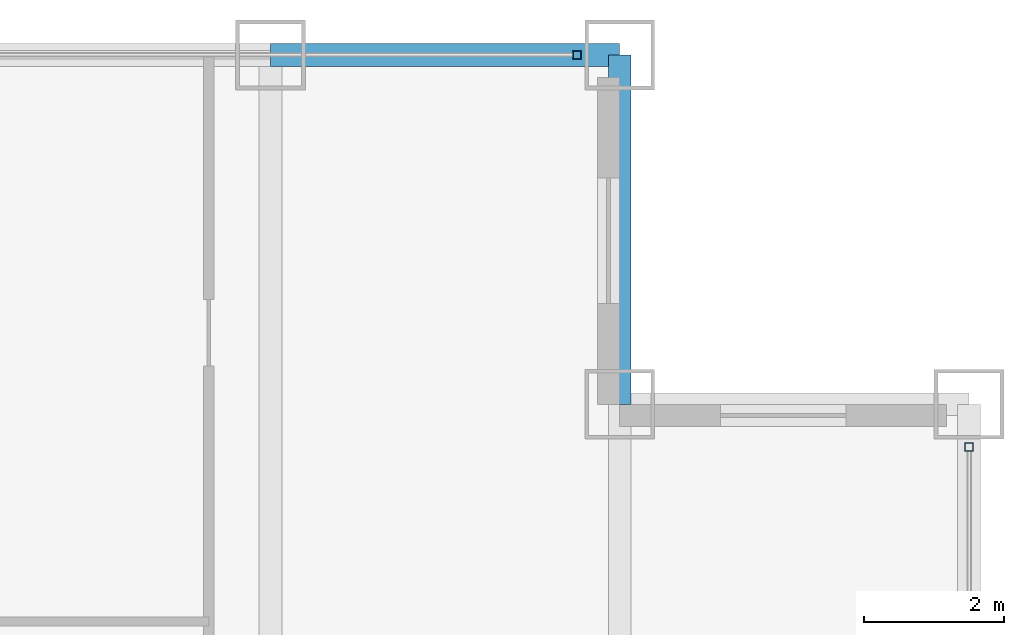
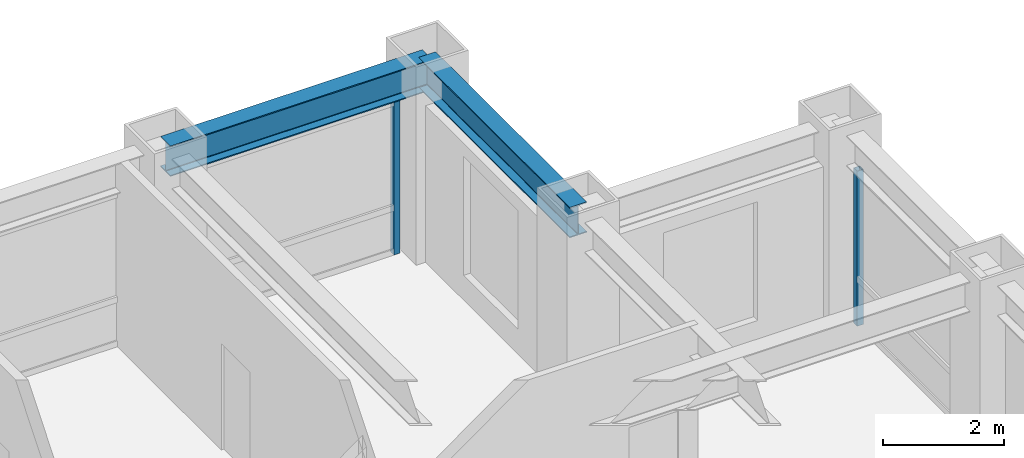
# One storey, part 18 of 25: 2 beams, 2 members, 2 elements without a shape of their own.
"""IFC4 building model written with IfcOpenShell, lengths in metres."""

from ifc_helpers import new_model, si_unit, direction, frame, origin, origin_2d, place, context, subcontext, project, spatial, hollow_rectangle, i_section, extrude, source, transform, mapped, material, material_profile, profile_set, type_object, element, aggregate, save


model = new_model("IFC4")

# Units and contexts
model_context = context("Model", 3, precision=1e-05, world=origin(), true_north=direction((0.0, 1.0)))
body_context = subcontext(model_context, "Body", "Model", "MODEL_VIEW")
ifc_project = project(units=[si_unit("LENGTHUNIT", "METRE"), si_unit("AREAUNIT", "SQUARE_METRE"), si_unit("VOLUMEUNIT", "CUBIC_METRE"), si_unit("PLANEANGLEUNIT", "RADIAN"), si_unit("MASSUNIT", "GRAM", prefix="KILO")], contexts=[model_context])

# Site, building, storey
site_placement = place(None, origin())
site = spatial("IfcSite", under=ifc_project, at=site_placement, CompositionType="ELEMENT")
building_placement = place(site_placement, origin())
building = spatial("IfcBuilding", under=site, at=building_placement, Name="Khorayat Bourse Tower", CompositionType="ELEMENT")
storey_placement = place(building_placement, frame((0.0, 0.0, 231.10009765625)))
storey = spatial("IfcBuildingStorey", under=building, at=storey_placement, Name="L54", CompositionType="ELEMENT", Elevation=231.10009765625)

# Beams
ifc_material_1 = material(Name="Steel ASTM A992 Grade 50", Category="steel")
ifc_material_profile_1 = material_profile(ifc_material_1, i_section(OverallWidth=0.324951171875, OverallDepth=0.615966796875, WebThickness=0.013916015625, FlangeThickness=0.021484375, FilletRadius=0.01611328125, at=origin_2d()), Name="W610X174")
ifc_profile_set_1 = profile_set([ifc_material_profile_1], Name="Steel ASTM A992 Grade 50")
beam_type = type_object("IfcBeamType", Name="BM-SPAN-610", PredefinedType="SPANDREL", material=ifc_profile_set_1)
shared_shape_1 = source(origin(), body_context, "Body", "SweptSolid", [
    extrude(i_section(OverallWidth=0.324951171875, OverallDepth=0.615966796875, WebThickness=0.013916015625, FlangeThickness=0.021484375, FilletRadius=0.01611328125, at=origin_2d()), origin(), (0.0, 0.0, 1.0), 5.0),
])
for number, where, z_axis, x_axis, name in (
    (1, (25.0, 25.0, 3.471923828125), (0.0, 1.0, 0.0), (-1.0, 0.0, 0.0), "L54 BM-SPAN-610 BM-L54-SPN-043"),
    (2, (20.0, 30.0, 3.471923828125), (1.0, 0.0, 0.0), (0.0, 1.0, 0.0), "L54 BM-SPAN-610 BM-L54-SPN-044"),
):
    element("IfcBeam", number, at=place(storey_placement, frame(where, z_axis=z_axis, x_axis=x_axis)), inside=storey, type_object=beam_type, Name=name, PredefinedType="SPANDREL", context=body_context, shape_type="MappedRepresentation", body=[
        mapped(shared_shape_1, transform((0.0, 0.0, 0.0), scale=1.0)),
    ])

# Curtain wall, member
ifc_material_2 = material(Name="Aluminium EN AW-6063 T6", Category="aluminium")
curtain_wall_type = type_object("IfcCurtainWallType", Name="CW-SYS-03", PredefinedType="NOTDEFINED", material=ifc_material_2)
curtain_wall_1_placement = place(storey_placement, origin())
curtain_wall_1 = element("IfcCurtainWall", 3, at=curtain_wall_1_placement, inside=storey, type_object=curtain_wall_type, Name="L54 Curtain Wall CW-L54-N1", PredefinedType="NOTDEFINED")
ifc_material_profile_2 = material_profile(ifc_material_2, hollow_rectangle(XDim=0.1201171875, YDim=0.1201171875, WallThickness=0.0048828125, at=origin_2d()), Name="ALU 120x120x5")
ifc_profile_set_2 = profile_set([ifc_material_profile_2], Name="Aluminium EN AW-6063 T6")
member_type = type_object("IfcMemberType", Name="CWM-VERT-120", PredefinedType="MULLION", material=ifc_profile_set_2)
shared_shape_2 = source(origin(), body_context, "Body", "SweptSolid", [
    extrude(hollow_rectangle(XDim=0.1201171875, YDim=0.1201171875, WallThickness=0.0048828125, at=origin_2d()), origin(), (0.0, 0.0, 1.0), 3.1298828125),
])
member_1_placement = place(storey_placement, frame((24.389892578125, 30.0, 0.0), z_axis=(0.0, 0.0, 1.0), x_axis=(0.0, 1.0, 0.0)))
member_1 = element("IfcMember", 4, at=member_1_placement, type_object=member_type, Name="CW-L54-N1 Vertical Mullion 3", PredefinedType="MULLION", context=body_context, shape_type="MappedRepresentation", body=[
    mapped(shared_shape_2, transform((0.0, 0.0, 0.0), scale=1.0)),
])
aggregate(curtain_wall_1, [member_1])

curtain_wall_2_placement = place(storey_placement, origin())
curtain_wall_2 = element("IfcCurtainWall", 5, at=curtain_wall_2_placement, inside=storey, type_object=curtain_wall_type, Name="L54 Curtain Wall CW-L54-E1", PredefinedType="NOTDEFINED")
member_2_placement = place(storey_placement, frame((30.0, 24.389892578125, 0.0), z_axis=(0.0, 0.0, 1.0), x_axis=(-1.0, 0.0, 0.0)))
member_2 = element("IfcMember", 6, at=member_2_placement, type_object=member_type, Name="CW-L54-E1 Vertical Mullion 3", PredefinedType="MULLION", context=body_context, shape_type="MappedRepresentation", body=[
    mapped(shared_shape_2, transform((0.0, 0.0, 0.0), scale=1.0)),
])
aggregate(curtain_wall_2, [member_2])

save(model, "model.ifc")
